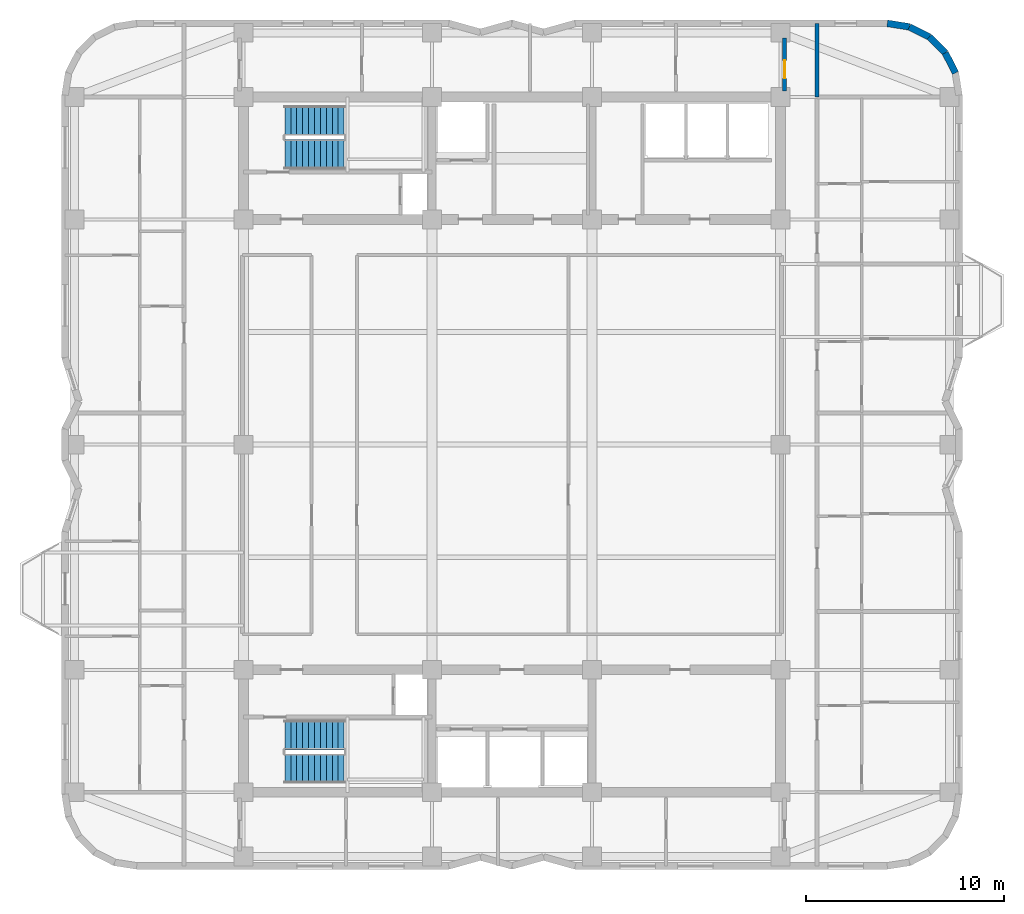
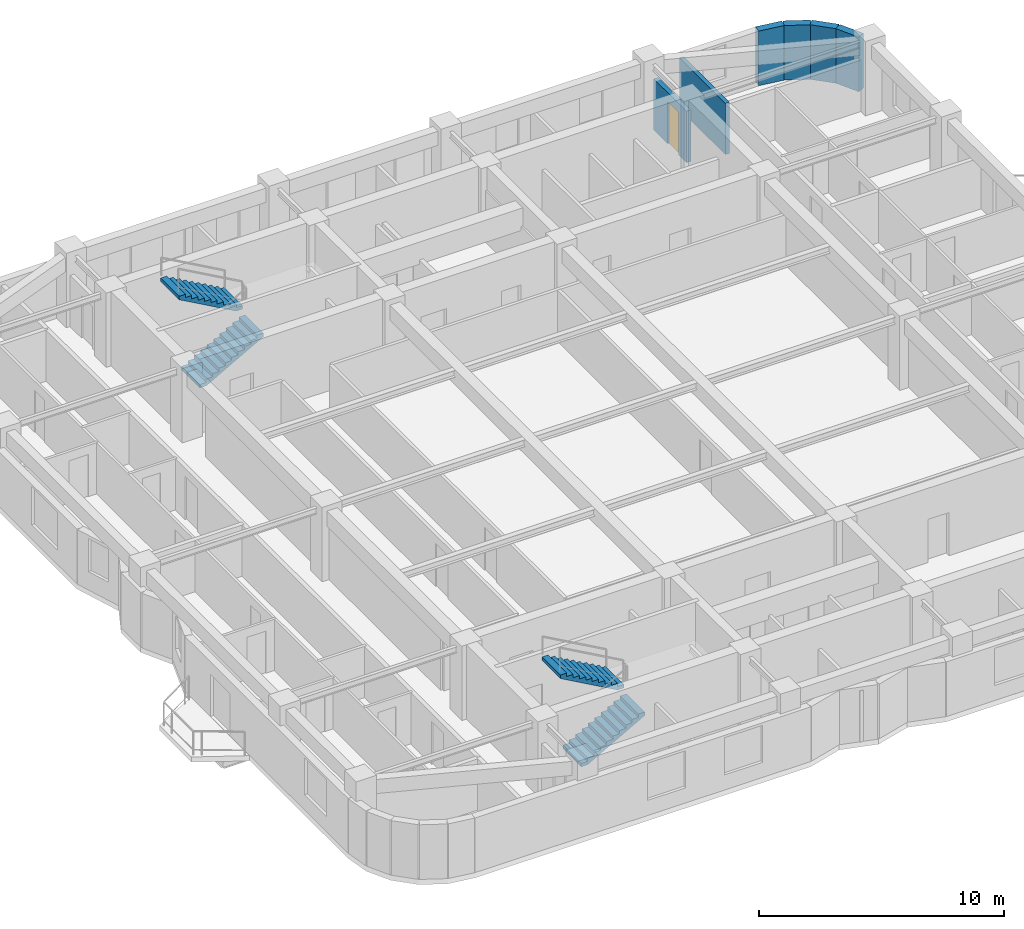
# One storey, part 7 of 9: 6 walls, 4 stair flights, 1 door, 1 opening, 2 elements without a shape of their own.
"""IFC4 building model written with IfcOpenShell, lengths in metres."""

from ifc_helpers import new_model, si_unit, direction, frame, frame_2d, origin, place, context, subcontext, project, spatial, polyline, rectangle, outline, extrude, material, layer, layer_set, type_object, element, fill, aggregate, save


model = new_model("IFC4")

# Units and contexts
model_context = context("Model", 3, precision=1e-05, world=origin(), true_north=direction((0.0, 1.0)))
body_context = subcontext(model_context, "Body", "Model", "MODEL_VIEW")
ifc_project = project(units=[si_unit("LENGTHUNIT", "METRE"), si_unit("AREAUNIT", "SQUARE_METRE"), si_unit("VOLUMEUNIT", "CUBIC_METRE"), si_unit("PLANEANGLEUNIT", "RADIAN"), si_unit("MASSUNIT", "GRAM", prefix="KILO")], contexts=[model_context])

# Site, building, storey
site_placement = place(None, origin())
site = spatial("IfcSite", under=ifc_project, at=site_placement, CompositionType="ELEMENT")
building_placement = place(site_placement, origin())
building = spatial("IfcBuilding", under=site, at=building_placement, Name="Svetorya Sky Lyceum", CompositionType="ELEMENT")
storey_placement = place(building_placement, frame((0.0, 0.0, 181.10009765625)))
storey = spatial("IfcBuildingStorey", under=building, at=storey_placement, Name="L45", CompositionType="ELEMENT", Elevation=181.10009765625)

# Walls
ifc_material_1 = material(Name="Putilovo limestone rainscreen on autoclaved cellular masonry", Category="masonry")
ifc_layer_1 = layer(ifc_material_1, 0.340087890625)
ifc_layer_set_1 = layer_set([ifc_layer_1], Name="Putilovo limestone rainscreen on autoclaved cellular masonry")
wall_type_1 = type_object("IfcWallType", Name="WL-EXT-340", PredefinedType="SOLIDWALL", material=ifc_layer_set_1)
wall_1_placement = place(storey_placement, frame((61.65234375, 47.021728515625, 0.0), z_axis=(0.0, 0.0, 1.0), x_axis=(-0.453993402883, 0.891005044957, 0.0)))
element("IfcWall", 1, at=wall_1_placement, inside=storey, type_object=wall_type_1, Name="L45 Limestone Exterior Wall 25M", PredefinedType="SOLIDWALL", context=body_context, shape_type="SweptSolid", body=[
    extrude(rectangle(XDim=1.1357421875, YDim=0.340087890625, at=frame_2d((0.56787109375, 0.0))), origin(), (0.0, 0.0, 1.0), 2.719970703125),
])
wall_2_placement = place(storey_placement, frame((61.13671875, 48.03369140625, 0.0), z_axis=(0.0, 0.0, 1.0), x_axis=(-0.707106781187, 0.707106781187, 0.0)))
element("IfcWall", 2, at=wall_2_placement, inside=storey, type_object=wall_type_1, Name="L45 Limestone Exterior Wall 26M", PredefinedType="SOLIDWALL", context=body_context, shape_type="SweptSolid", body=[
    extrude(rectangle(XDim=1.135498046875, YDim=0.340087890625, at=frame_2d((0.56787109375, 0.0))), origin(), (0.0, 0.0, 1.0), 2.719970703125),
])
for number, where, z_axis, x_axis, name in (
    (3, (60.333740234375, 48.836669921875, 0.0), (0.0, 0.0, 1.0), (-0.891005044957, 0.453993402883, 0.0), "L45 Limestone Exterior Wall 27M"),
    (4, (59.32177734375, 49.352294921875, 0.0), (0.0, 0.0, 1.0), (-0.987680916907, 0.156481329164, 0.0), "L45 Limestone Exterior Wall 28M"),
):
    element("IfcWall", number, at=place(storey_placement, frame(where, z_axis=z_axis, x_axis=x_axis)), inside=storey, type_object=wall_type_1, Name=name, PredefinedType="SOLIDWALL", context=body_context, shape_type="SweptSolid", body=[
        extrude(rectangle(XDim=1.1357421875, YDim=0.340087890625, at=frame_2d((0.56787109375, 0.0))), origin(), (0.0, 0.0, 1.0), 2.719970703125),
    ])
ifc_material_2 = material(Name="Autoclaved cellular masonry blockwork with gypsum plaster", Category="masonry")
ifc_layer_2 = layer(ifc_material_2, 0.199951171875)
ifc_layer_set_2 = layer_set([ifc_layer_2], Name="Autoclaved cellular masonry blockwork with gypsum plaster")
wall_type_2 = type_object("IfcWallType", Name="WL-PART-200", PredefinedType="PARTITIONING", material=ifc_layer_set_2)
wall_3_placement = place(storey_placement, frame((54.64990234375, 45.800048828125, 0.0), z_axis=(0.0, 0.0, 1.0), x_axis=(0.0, 1.0, 0.0)))
element("IfcWall", 5, at=wall_3_placement, inside=storey, type_object=wall_type_2, Name="L45 Interior Partition EC-NE-END", PredefinedType="PARTITIONING", context=body_context, shape_type="SweptSolid", body=[
    extrude(rectangle(XDim=3.72998046875, YDim=0.199951171875, at=frame_2d((1.864990234375, 0.0))), origin(), (0.0, 0.0, 1.0), 2.5498046875),
])

# Wall, opening, door
wall_4_placement = place(storey_placement, frame((53.0, 46.10009765625, 0.0), z_axis=(0.0, 0.0, 1.0), x_axis=(0.0, 1.0, 0.0)))
wall_4 = element("IfcWall", 6, at=wall_4_placement, inside=storey, type_object=wall_type_2, Name="L45 Interior Partition N4-EE", PredefinedType="PARTITIONING", context=body_context, shape_type="SweptSolid", body=[
    extrude(rectangle(XDim=2.679931640625, YDim=0.199951171875, at=frame_2d((1.33984375, 0.0))), origin(), (0.0, 0.0, 1.0), 2.5498046875),
])
opening_placement = place(wall_4_placement, frame((0.64990234375, 0.0, 0.0)))
opening = element("IfcOpeningElement", 7, at=opening_placement, cuts=wall_4, Name="Opening D-RM1", PredefinedType="OPENING", context=body_context, shape_type="SweptSolid", body=[
    extrude(rectangle(XDim=0.89990234375, YDim=2.10009765625, at=frame_2d((0.449951171875, 1.050048828125))), frame((0.0, 0.10986328125, 0.0), z_axis=(0.0, -1.0, 0.0), x_axis=(1.0, 0.0, 0.0)), (0.0, 0.0, 1.0), 0.219970703125),
])
ifc_material_3 = material(Name="Lacquered birch veneer internal door")
door_type = type_object("IfcDoorType", Name="DR-INT-900", OperationType="SINGLE_SWING_LEFT", PredefinedType="DOOR", material=ifc_material_3)
door_placement = place(opening_placement, origin())
door = element("IfcDoor", 8, at=door_placement, inside=storey, type_object=door_type, Name="L45 NE Office Door", OperationType="SINGLE_SWING_LEFT", OverallHeight=2.10009765625, OverallWidth=0.89990234375, PredefinedType="DOOR", context=body_context, shape_type="SweptSolid", body=[
    extrude(rectangle(XDim=0.89990234375, YDim=2.10009765625, at=frame_2d((0.449951171875, 1.050048828125))), frame((0.0, 0.02490234375, 0.0), z_axis=(0.0, -1.0, 0.0), x_axis=(1.0, 0.0, 0.0)), (0.0, 0.0, 1.0), 0.050048828125),
])
fill(opening, door)

# Stair, stair flights
ifc_material_4 = material(Name="Concrete C40/50", Category="concrete")
stair_type_1 = type_object("IfcStairType", Name="STR-ST-N", PredefinedType="HALF_TURN_STAIR", material=ifc_material_4)
stair_1_placement = place(storey_placement, origin())
stair_1 = element("IfcStair", 9, at=stair_1_placement, inside=storey, type_object=stair_type_1, Name="L45 North Core Smoke-Free Exit Stair N3", PredefinedType="HALF_TURN_STAIR")
stair_flight_type_1 = type_object("IfcStairFlightType", Name="SFL-ST-N", PredefinedType="STRAIGHT", material=ifc_material_4)
stair_flight_1_placement = place(storey_placement, frame((27.699951171875, 42.89990234375, 0.0), z_axis=(0.0, 0.0, 1.0), x_axis=(1.0, 0.0, 0.0)))
stair_flight_1 = element("IfcStairFlight", 10, at=stair_flight_1_placement, type_object=stair_flight_type_1, Name="ST-N flight 1", NumberOfRisers=11, NumberOfTreads=10, PredefinedType="STRAIGHT", RiserHeight=0.168181818, TreadLength=0.3, context=body_context, shape_type="SweptSolid", body=[
    extrude(outline(polyline([(0.0, 0.0), (0.0, 0.168212890625), (0.300048828125, 0.168212890625), (0.300048828125, 0.33642578125), (0.60009765625, 0.33642578125), (0.60009765625, 0.504638671875), (0.89990234375, 0.504638671875), (0.89990234375, 0.672607421875), (1.199951171875, 0.672607421875), (1.199951171875, 0.8408203125), (1.5, 0.8408203125), (1.5, 1.009033203125), (1.800048828125, 1.009033203125), (1.800048828125, 1.17724609375), (2.10009765625, 1.17724609375), (2.10009765625, 1.345458984375), (2.39990234375, 1.345458984375), (2.39990234375, 1.513671875), (2.699951171875, 1.513671875), (2.699951171875, 1.681884765625), (3.0, 1.681884765625), (3.0, 1.85009765625), (3.0, 1.510009765625), (0.306640625, 0.0), (0.0, 0.0)])), frame((0.0, 0.75, 0.0), z_axis=(0.0, -1.0, 0.0), x_axis=(1.0, 0.0, 0.0)), (0.0, 0.0, 1.0), 1.5),
])
stair_flight_2_placement = place(storey_placement, frame((30.699951171875, 44.60009765625, 1.849853515625), z_axis=(0.0, 0.0, 1.0), x_axis=(-1.0, 0.0, 0.0)))
stair_flight_2 = element("IfcStairFlight", 11, at=stair_flight_2_placement, type_object=stair_flight_type_1, Name="ST-N flight 2", NumberOfRisers=11, NumberOfTreads=10, PredefinedType="STRAIGHT", RiserHeight=0.168181818, TreadLength=0.3, context=body_context, shape_type="SweptSolid", body=[
    extrude(outline(polyline([(0.0, 0.0), (0.0, 0.168212890625), (0.300048828125, 0.168212890625), (0.300048828125, 0.33642578125), (0.60009765625, 0.33642578125), (0.60009765625, 0.504638671875), (0.89990234375, 0.504638671875), (0.89990234375, 0.672607421875), (1.199951171875, 0.672607421875), (1.199951171875, 0.8408203125), (1.5, 0.8408203125), (1.5, 1.009033203125), (1.800048828125, 1.009033203125), (1.800048828125, 1.17724609375), (2.10009765625, 1.17724609375), (2.10009765625, 1.345458984375), (2.39990234375, 1.345458984375), (2.39990234375, 1.513671875), (2.699951171875, 1.513671875), (2.699951171875, 1.681884765625), (3.0, 1.681884765625), (3.0, 1.85009765625), (3.0, 1.510009765625), (0.306640625, 0.0), (0.0, 0.0)])), frame((0.0, 0.75, 0.0), z_axis=(0.0, -1.0, 0.0), x_axis=(1.0, 0.0, 0.0)), (0.0, 0.0, 1.0), 1.5),
])
aggregate(stair_1, [stair_flight_1, stair_flight_2])

stair_type_2 = type_object("IfcStairType", Name="STR-ST-S", PredefinedType="HALF_TURN_STAIR", material=ifc_material_4)
stair_2_placement = place(storey_placement, origin())
stair_2 = element("IfcStair", 12, at=stair_2_placement, inside=storey, type_object=stair_type_2, Name="L45 South Core Smoke-Free Exit Stair N2", PredefinedType="HALF_TURN_STAIR")
stair_flight_type_2 = type_object("IfcStairFlightType", Name="SFL-ST-S", PredefinedType="STRAIGHT", material=ifc_material_4)
stair_flight_3_placement = place(storey_placement, frame((27.699951171875, 11.800048828125, 0.0), z_axis=(0.0, 0.0, 1.0), x_axis=(1.0, 0.0, 0.0)))
stair_flight_3 = element("IfcStairFlight", 13, at=stair_flight_3_placement, type_object=stair_flight_type_2, Name="ST-S flight 1", NumberOfRisers=11, NumberOfTreads=10, PredefinedType="STRAIGHT", RiserHeight=0.168181818, TreadLength=0.3, context=body_context, shape_type="SweptSolid", body=[
    extrude(outline(polyline([(0.0, 0.0), (0.0, 0.168212890625), (0.300048828125, 0.168212890625), (0.300048828125, 0.33642578125), (0.60009765625, 0.33642578125), (0.60009765625, 0.504638671875), (0.89990234375, 0.504638671875), (0.89990234375, 0.672607421875), (1.199951171875, 0.672607421875), (1.199951171875, 0.8408203125), (1.5, 0.8408203125), (1.5, 1.009033203125), (1.800048828125, 1.009033203125), (1.800048828125, 1.17724609375), (2.10009765625, 1.17724609375), (2.10009765625, 1.345458984375), (2.39990234375, 1.345458984375), (2.39990234375, 1.513671875), (2.699951171875, 1.513671875), (2.699951171875, 1.681884765625), (3.0, 1.681884765625), (3.0, 1.85009765625), (3.0, 1.510009765625), (0.306640625, 0.0), (0.0, 0.0)])), frame((0.0, 0.75, 0.0), z_axis=(0.0, -1.0, 0.0), x_axis=(1.0, 0.0, 0.0)), (0.0, 0.0, 1.0), 1.5),
])
stair_flight_4_placement = place(storey_placement, frame((30.699951171875, 13.5, 1.849853515625), z_axis=(0.0, 0.0, 1.0), x_axis=(-1.0, 0.0, 0.0)))
stair_flight_4 = element("IfcStairFlight", 14, at=stair_flight_4_placement, type_object=stair_flight_type_2, Name="ST-S flight 2", NumberOfRisers=11, NumberOfTreads=10, PredefinedType="STRAIGHT", RiserHeight=0.168181818, TreadLength=0.3, context=body_context, shape_type="SweptSolid", body=[
    extrude(outline(polyline([(0.0, 0.0), (0.0, 0.168212890625), (0.300048828125, 0.168212890625), (0.300048828125, 0.33642578125), (0.60009765625, 0.33642578125), (0.60009765625, 0.504638671875), (0.89990234375, 0.504638671875), (0.89990234375, 0.672607421875), (1.199951171875, 0.672607421875), (1.199951171875, 0.8408203125), (1.5, 0.8408203125), (1.5, 1.009033203125), (1.800048828125, 1.009033203125), (1.800048828125, 1.17724609375), (2.10009765625, 1.17724609375), (2.10009765625, 1.345458984375), (2.39990234375, 1.345458984375), (2.39990234375, 1.513671875), (2.699951171875, 1.513671875), (2.699951171875, 1.681884765625), (3.0, 1.681884765625), (3.0, 1.85009765625), (3.0, 1.510009765625), (0.306640625, 0.0), (0.0, 0.0)])), frame((0.0, 0.75, 0.0), z_axis=(0.0, -1.0, 0.0), x_axis=(1.0, 0.0, 0.0)), (0.0, 0.0, 1.0), 1.5),
])
aggregate(stair_2, [stair_flight_3, stair_flight_4])

save(model, "model.ifc")
